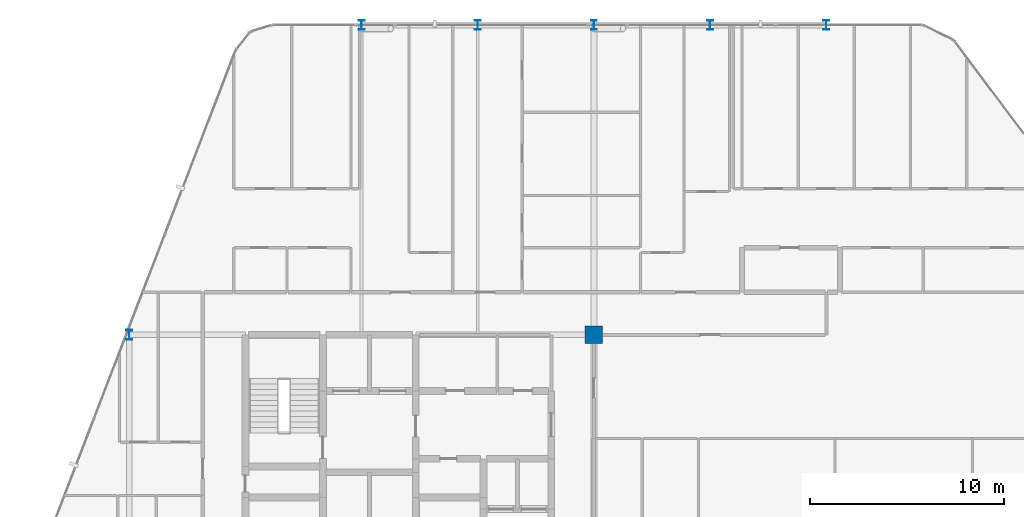
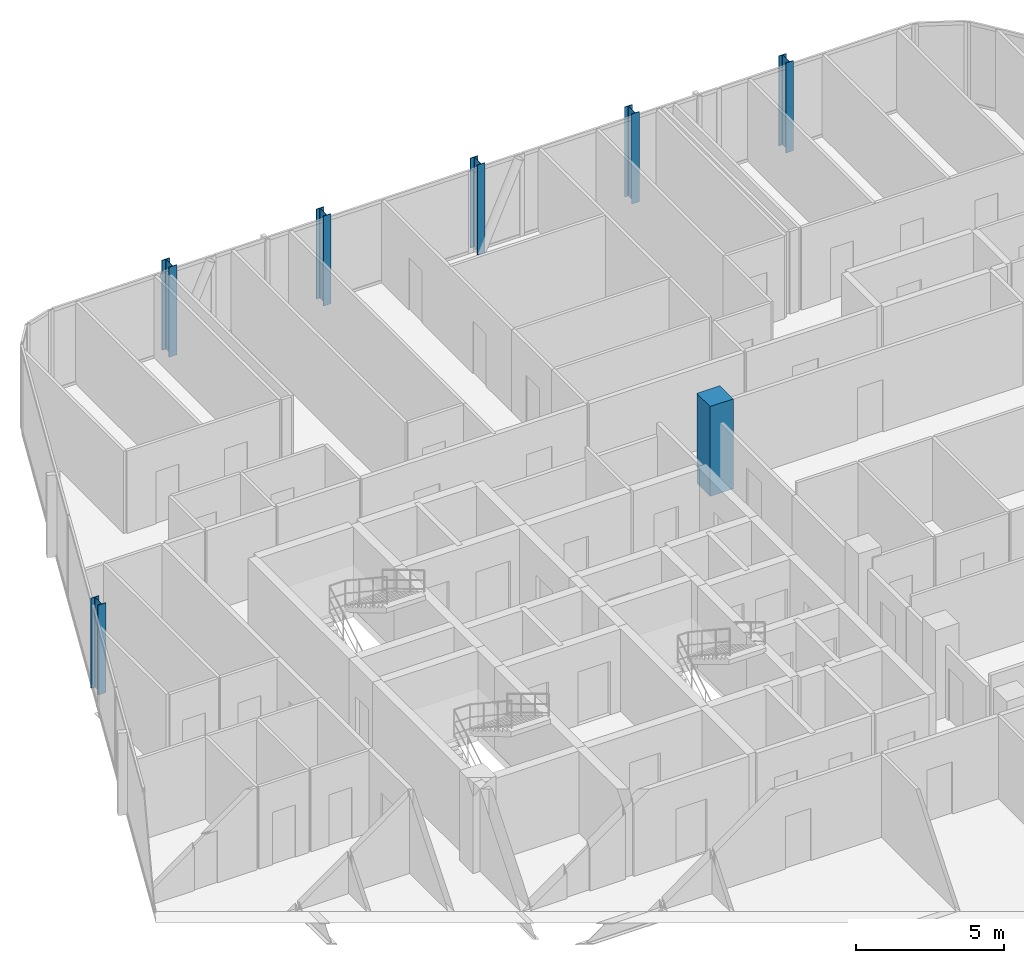
# One storey, part 3 of 31: 7 columns.
"""IFC4 building model written with IfcOpenShell, lengths in metres."""

import ifcopenshell
import ifcopenshell.guid

model = None  # the IFC model being written
_history = None  # IfcOwnerHistory: only IFC2X3 demands one
_inside = {}  # id of a spatial element -> (the spatial element, [elements in it])
_under = {}  # id of a project, library or spatial element -> (it, [spatial elements below it])
_declared = {}  # id of a project -> (the project, [libraries it declares])
_typed = {}  # id of a type object -> (the type object, [elements of that type])
_made_of = {}  # id of a material, layer set ... -> (it, [elements and type objects made of it])


def new_model(schema):
    """Start an empty IFC model of exactly this schema.

    Asked for "IFC4X3", IfcOpenShell would pick the latest addendum, in which some entities
    have other attributes; the version numbers below select the first issue.
    IFC2X3 requires an IfcOwnerHistory on every rooted entity: one is made here for all.
    """
    global model, _history
    if schema == "IFC4X3":
        model = ifcopenshell.file(schema_version=(4, 3, 0, 0))
    else:
        model = ifcopenshell.file(schema=schema)
    _inside.clear()
    _under.clear()
    _declared.clear()
    _typed.clear()
    _made_of.clear()
    _history = None
    if model.schema == "IFC2X3":
        org = make("IfcOrganization", Name="unknown")
        user = make(
            "IfcPersonAndOrganization",
            ThePerson=make("IfcPerson", FamilyName="unknown"),
            TheOrganization=org,
        )
        app = make(
            "IfcApplication",
            ApplicationDeveloper=org,
            Version="unknown",
            ApplicationFullName="unknown",
            ApplicationIdentifier="unknown",
        )
        _history = make(
            "IfcOwnerHistory",
            OwningUser=user,
            OwningApplication=app,
            ChangeAction="ADDED",
            CreationDate=0,
        )
    return model


def make(cls, **values):
    """One entity of the class cls with the attributes given. An attribute that is None is left unset."""
    return model.create_entity(
        cls, **{name: value for name, value in values.items() if value is not None}
    )


def rooted(cls, **values):
    """An entity with a GlobalId (a new one), such as an element, a storey or a relation."""
    return make(cls, GlobalId=ifcopenshell.guid.new(), OwnerHistory=_history, **values)


def si_unit(unit_type, name, prefix=None):
    """IfcSIUnit, for example si_unit("LENGTHUNIT", "METRE", prefix="MILLI")."""
    return make("IfcSIUnit", UnitType=unit_type, Prefix=prefix, Name=name)


def assignment(units):
    """IfcUnitAssignment: the units of a project."""
    return None if units is None else make("IfcUnitAssignment", Units=units)


def point(xyz):
    """IfcCartesianPoint."""
    return None if xyz is None else make("IfcCartesianPoint", Coordinates=xyz)


def direction(xyz):
    """IfcDirection."""
    return None if xyz is None else make("IfcDirection", DirectionRatios=xyz)


def frame(location, z_axis=None, x_axis=None):
    """IfcAxis2Placement3D, a coordinate frame: its origin and axes. An axis left out is left unset."""
    return make(
        "IfcAxis2Placement3D",
        Location=point(location),
        Axis=direction(z_axis),
        RefDirection=direction(x_axis),
    )


def frame_2d(location, x_axis=None):
    """IfcAxis2Placement2D, a coordinate frame in the plane: its origin and x axis."""
    return make(
        "IfcAxis2Placement2D", Location=point(location), RefDirection=direction(x_axis)
    )


def origin():
    """The frame at (0, 0, 0) with its axes left unset."""
    return frame((0.0, 0.0, 0.0))


def origin_2d():
    """The frame at (0, 0) in the plane with its x axis left unset."""
    return frame_2d((0.0, 0.0))


def place(relative_to, where):
    """IfcLocalPlacement: puts the frame where relative to a parent placement (None: the world)."""
    return make(
        "IfcLocalPlacement", PlacementRelTo=relative_to, RelativePlacement=where
    )


def context(
    kind, dimensions, precision=None, world=None, true_north=None, identifier=None
):
    """IfcGeometricRepresentationContext, for example the 3D "Model" context."""
    return make(
        "IfcGeometricRepresentationContext",
        ContextIdentifier=identifier,
        ContextType=kind,
        CoordinateSpaceDimension=dimensions,
        Precision=precision,
        WorldCoordinateSystem=world,
        TrueNorth=true_north,
    )


def subcontext(parent, identifier, kind, view, scale=None):
    """IfcGeometricRepresentationSubContext, for example "Body" below "Model"."""
    return make(
        "IfcGeometricRepresentationSubContext",
        ContextIdentifier=identifier,
        ContextType=kind,
        ParentContext=parent,
        TargetScale=scale,
        TargetView=view,
    )


def project(units=None, contexts=None):
    """IfcProject with its units and contexts."""
    return rooted(
        "IfcProject",
        Name="project",
        RepresentationContexts=contexts,
        UnitsInContext=assignment(units),
    )


def spatial(cls, under=None, at=None, **own):
    """A site, building, storey or space (cls), placed at a placement, below another one or the project."""
    s = rooted(cls, ObjectPlacement=at, **own)
    if under is not None:
        _under.setdefault(under.id(), (under, []))[1].append(s)
    return s


def profile(cls, at=None, kind="AREA", **sizes):
    """A parametric profile (cls). Its sizes go by their IFC names, for example OverallWidth=200.0."""
    return make(cls, ProfileType=kind, Position=at, **sizes)


def rectangle(**sizes):
    """IfcRectangleProfileDef."""
    return profile("IfcRectangleProfileDef", **sizes)


def i_section(**sizes):
    """IfcIShapeProfileDef."""
    return profile("IfcIShapeProfileDef", **sizes)


def extrude(swept, where, along, depth):
    """IfcExtrudedAreaSolid: the profile swept, set in the frame where, extruded along a direction by depth."""
    return make(
        "IfcExtrudedAreaSolid",
        SweptArea=swept,
        Position=where,
        ExtrudedDirection=direction(along),
        Depth=depth,
    )


def shape(context_of_items, identifier, shape_type, items):
    """IfcShapeRepresentation: the items that make up one representation, for example the "Body"."""
    return make(
        "IfcShapeRepresentation",
        ContextOfItems=context_of_items,
        RepresentationIdentifier=identifier,
        RepresentationType=shape_type,
        Items=items,
    )


def material(Name=None, Category=None):
    """IfcMaterial."""
    return make("IfcMaterial", Name=Name, Category=Category)


def material_profile(
    of_material, cross_section, Name=None, Category=None, Priority=None
):
    """IfcMaterialProfile: a cross section and its material."""
    return make(
        "IfcMaterialProfile",
        Name=Name,
        Material=of_material,
        Profile=cross_section,
        Priority=Priority,
        Category=Category,
    )


def profile_set(profiles, Name=None, composite=None):
    """IfcMaterialProfileSet."""
    return make(
        "IfcMaterialProfileSet",
        Name=Name,
        MaterialProfiles=profiles,
        CompositeProfile=composite,
    )


def made_of(thing, what):
    """Note that an element or type object is made of a material, layer set ...; save() writes the relation."""
    if what is not None:
        _made_of.setdefault(what.id(), (what, []))[1].append(thing)
    return thing


def type_object(cls, material=None, **own):
    """A type object (cls), such as IfcWallType, which elements share."""
    return made_of(rooted(cls, **own), material)


def element(
    cls,
    number,
    at=None,
    inside=None,
    cuts=None,
    type_object=None,
    material=None,
    context=None,
    identifier="Body",
    shape_type=None,
    held_by="IfcProductDefinitionShape",
    body=None,
    shapes=None,
    **own,
):
    """One element of the class cls, such as IfcWall. Its Tag is "e" and its number.

    at: its placement. inside: the storey or other place that contains it. cuts: it is an
    opening in that element (IfcRelVoidsElement). A single representation is given by context,
    identifier, shape_type and body (its items); several are given by shapes. held_by: the class
    of the entity that holds the representations. save() writes the other relations.
    """
    e = rooted(cls, Tag="e%d" % number, ObjectPlacement=at, **own)
    if body is not None:
        shapes = [shape(context, identifier, shape_type, body)]
    if shapes is not None:
        e.Representation = make(held_by, Representations=shapes)
    if inside is not None:
        _inside.setdefault(inside.id(), (inside, []))[1].append(e)
    if cuts is not None:
        rooted(
            "IfcRelVoidsElement", RelatingBuildingElement=cuts, RelatedOpeningElement=e
        )
    if type_object is not None:
        _typed.setdefault(type_object.id(), (type_object, []))[1].append(e)
    return made_of(e, material)


def aggregate(whole, parts):
    """IfcRelAggregates: a whole, such as a stair, and the parts it consists of."""
    return rooted("IfcRelAggregates", RelatingObject=whole, RelatedObjects=parts)


def save(model, path):
    """Write the relations noted so far, then the file.

    IfcRelAggregates (storeys below a building ...), IfcRelContainedInSpatialStructure (elements
    in a storey), IfcRelDefinesByType, IfcRelAssociatesMaterial and IfcRelDeclares: one each for
    every whole, place, type object, material and project.
    """
    for whole, parts in _under.values():
        aggregate(whole, parts)
    for where, things in _inside.values():
        rooted(
            "IfcRelContainedInSpatialStructure",
            RelatedElements=things,
            RelatingStructure=where,
        )
    for kind, things in _typed.values():
        rooted("IfcRelDefinesByType", RelatedObjects=things, RelatingType=kind)
    for what, things in _made_of.values():
        rooted("IfcRelAssociatesMaterial", RelatedObjects=things, RelatingMaterial=what)
    for by, libraries in _declared.values():
        rooted("IfcRelDeclares", RelatingContext=by, RelatedDefinitions=libraries)
    model.write(path)


model = new_model("IFC4")

# Units and contexts
model_context = context("Model", 3, precision=1e-05, world=origin(), true_north=direction((0.0, 1.0)))
body_context = subcontext(model_context, "Body", "Model", "MODEL_VIEW")
ifc_project = project(units=[si_unit("LENGTHUNIT", "METRE"), si_unit("AREAUNIT", "SQUARE_METRE"), si_unit("VOLUMEUNIT", "CUBIC_METRE"), si_unit("PLANEANGLEUNIT", "RADIAN"), si_unit("MASSUNIT", "GRAM", prefix="KILO")], contexts=[model_context])

# Site, building, storey
site_placement = place(None, origin())
site = spatial("IfcSite", under=ifc_project, at=site_placement, CompositionType="ELEMENT")
building_placement = place(site_placement, origin())
building = spatial("IfcBuilding", under=site, at=building_placement, Name="Keshet Zoharim Tower", CompositionType="ELEMENT")
storey_placement = place(building_placement, frame((0.0, 0.0, 133.5)))
storey = spatial("IfcBuildingStorey", under=building, at=storey_placement, Name="L32", CompositionType="ELEMENT", Elevation=133.5)

# Columns
ifc_material_1 = material(Name="Steel S355", Category="steel")
ifc_material_profile_1 = material_profile(ifc_material_1, i_section(OverallWidth=0.300048828125, OverallDepth=0.5, WebThickness=0.014404296875, FlangeThickness=0.028076171875, FilletRadius=0.027099609375, at=origin_2d()), Name="HEB500")
ifc_profile_set_1 = profile_set([ifc_material_profile_1], Name="Steel S355")
column_type_1 = type_object("IfcColumnType", Name="COL-HEB500", PredefinedType="COLUMN", material=ifc_profile_set_1)
for number, where, z_axis, x_axis, name in (
    (1, (9.0, 37.89990234375, 0.0), (0.0, 0.0, 1.0), (1.0, 0.0, 0.0), "L32 Column 2H"),
    (2, (21.0, 53.89990234375, 0.0), (0.0, 0.0, 1.0), (1.0, 0.0, 0.0), "L32 Column 4L"),
    (3, (27.0, 53.89990234375, 0.0), (0.0, 0.0, 1.0), (1.0, 0.0, 0.0), "L32 Column 5L"),
    (4, (33.0, 53.89990234375, 0.0), (0.0, 0.0, 1.0), (1.0, 0.0, 0.0), "L32 Column 6L"),
    (5, (39.0, 53.89990234375, 0.0), (0.0, 0.0, 1.0), (1.0, 0.0, 0.0), "L32 Column 7L"),
    (6, (45.0, 53.89990234375, 0.0), (0.0, 0.0, 1.0), (1.0, 0.0, 0.0), "L32 Column 8L"),
):
    element("IfcColumn", number, at=place(storey_placement, frame(where, z_axis=z_axis, x_axis=x_axis)), inside=storey, type_object=column_type_1, Name=name, PredefinedType="COLUMN", context=body_context, shape_type="SweptSolid", body=[
        extrude(i_section(OverallWidth=0.300048828125, OverallDepth=0.5, WebThickness=0.014404296875, FlangeThickness=0.028076171875, FilletRadius=0.027099609375, at=origin_2d()), origin(), (0.0, 0.0, 1.0), 3.699951171875),
    ])
ifc_material_2 = material(Name="Concrete C60/75", Category="concrete")
ifc_material_profile_2 = material_profile(ifc_material_2, rectangle(XDim=0.89990234375, YDim=0.89990234375, at=origin_2d()), Name="RC900x900")
ifc_profile_set_2 = profile_set([ifc_material_profile_2], Name="Concrete C60/75")
column_type_2 = type_object("IfcColumnType", Name="COL-RC900", PredefinedType="COLUMN", material=ifc_profile_set_2)
column_placement = place(storey_placement, frame((33.0, 37.89990234375, 0.0), z_axis=(0.0, 0.0, 1.0), x_axis=(1.0, 0.0, 0.0)))
element("IfcColumn", 7, at=column_placement, inside=storey, type_object=column_type_2, Name="L32 Column 6H", PredefinedType="COLUMN", context=body_context, shape_type="SweptSolid", body=[
    extrude(rectangle(XDim=0.89990234375, YDim=0.89990234375, at=origin_2d()), origin(), (0.0, 0.0, 1.0), 3.699951171875),
])

save(model, "model.ifc")
